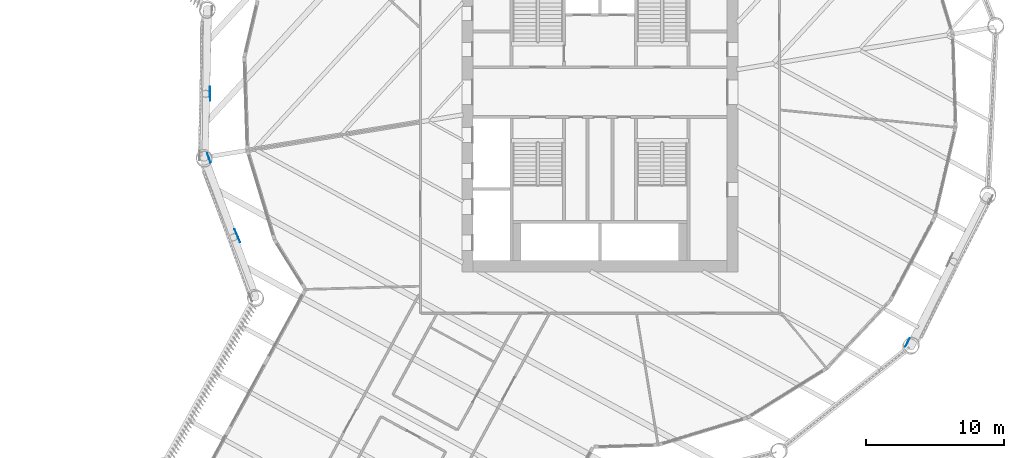
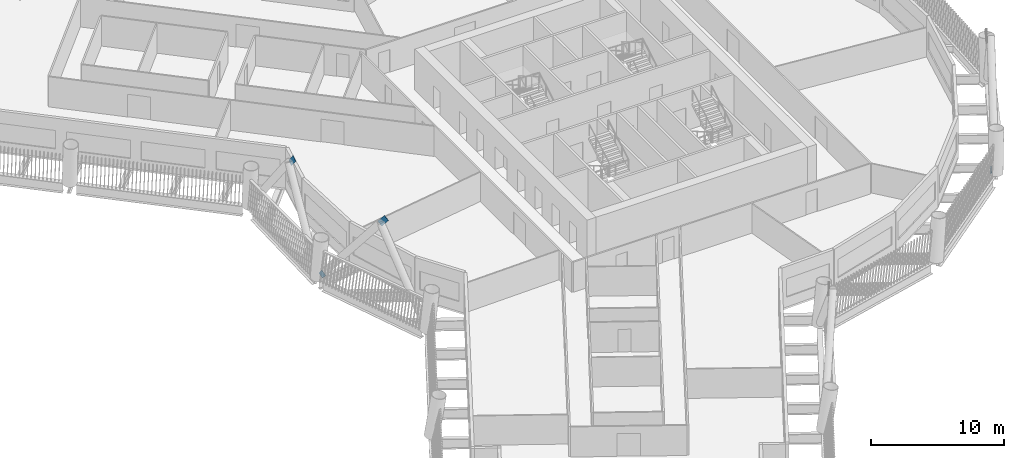
# One storey, part 10 of 24: 4 discrete accessories.
"""IFC4 building model written with IfcOpenShell, lengths in metres."""

from ifc_helpers import new_model, si_unit, direction, frame, origin, origin_2d, place, context, subcontext, project, spatial, rectangle, extrude, material, material_profile, profile_set, type_object, element, save


model = new_model("IFC4")

# Units and contexts
model_context = context("Model", 3, precision=1e-05, world=origin(), true_north=direction((0.0, 1.0)))
body_context = subcontext(model_context, "Body", "Model", "MODEL_VIEW")
ifc_project = project(units=[si_unit("LENGTHUNIT", "METRE"), si_unit("AREAUNIT", "SQUARE_METRE"), si_unit("VOLUMEUNIT", "CUBIC_METRE"), si_unit("PLANEANGLEUNIT", "RADIAN"), si_unit("MASSUNIT", "GRAM", prefix="KILO")], contexts=[model_context])

# Site, building, storey
site_placement = place(None, origin())
site = spatial("IfcSite", under=ifc_project, at=site_placement, CompositionType="ELEMENT")
building_placement = place(site_placement, origin())
building = spatial("IfcBuilding", under=site, at=building_placement, Name="Tarsis Ring Headquarters", CompositionType="ELEMENT")
storey_placement = place(building_placement, frame((0.0, 0.0, 92.800048828125)))
storey = spatial("IfcBuildingStorey", under=building, at=storey_placement, Name="L20", CompositionType="ELEMENT", Elevation=92.800048828125)

# Discrete accessories
ifc_material = material(Name="Structural steel S355", Category="steel")
ifc_material_profile = material_profile(ifc_material, rectangle(XDim=0.02490234375, YDim=0.5, at=origin_2d()), Name="PL 25x500")
ifc_profile_set = profile_set([ifc_material_profile], Name="Structural steel S355")
discrete_accessory_type = type_object("IfcDiscreteAccessoryType", Name="Gusset plate Exo brace 25", PredefinedType="BRACKET", material=ifc_profile_set)
discrete_accessory_1_placement = place(storey_placement, frame((-28.36376953125, -4.614990234375, 0.0), z_axis=(0.213379465861, -0.582032776444, 0.784670026632), x_axis=(0.938893286898, 0.344208361052, 0.0)))
element("IfcDiscreteAccessory", 1, at=discrete_accessory_1_placement, inside=storey, type_object=discrete_accessory_type, Name="Gusset plate GP5", PredefinedType="BRACKET", context=body_context, shape_type="SweptSolid", body=[
    extrude(rectangle(XDim=0.02490234375, YDim=0.5, at=origin_2d()), origin(), (0.0, 0.0, 1.0), 0.5),
])
discrete_accessory_2_placement = place(storey_placement, frame((-26.368896484375, -10.100830078125, 7.40771484375), z_axis=(0.242923534505, -0.570320981511, 0.784679638089), x_axis=(0.920018720037, 0.391874412002, 0.0)))
element("IfcDiscreteAccessory", 2, at=discrete_accessory_2_placement, inside=storey, type_object=discrete_accessory_type, Name="Gusset plate GP5", PredefinedType="BRACKET", context=body_context, shape_type="SweptSolid", body=[
    extrude(rectangle(XDim=0.02490234375, YDim=0.5, at=origin_2d()), origin(), (0.0, 0.0, 1.0), 1.0),
])
discrete_accessory_3_placement = place(storey_placement, frame((22.188232421875, -18.26416015625, 0.0), z_axis=(0.301756373617, 0.589840937426, 0.749019865903), x_axis=(-0.890262061733, 0.455448637542, 0.0)))
element("IfcDiscreteAccessory", 3, at=discrete_accessory_3_placement, inside=storey, type_object=discrete_accessory_type, Name="Gusset plate GP5", PredefinedType="BRACKET", context=body_context, shape_type="SweptSolid", body=[
    extrude(rectangle(XDim=0.02490234375, YDim=0.5, at=origin_2d()), origin(), (0.0, 0.0, 1.0), 0.5),
])
discrete_accessory_4_placement = place(storey_placement, frame((-28.236572265625, 0.2021484375, 7.40771484375), z_axis=(0.018310738418, -0.619635388051, 0.784676176988), x_axis=(0.999563660054, 0.029537933217, 0.0)))
element("IfcDiscreteAccessory", 4, at=discrete_accessory_4_placement, inside=storey, type_object=discrete_accessory_type, Name="Gusset plate GP5", PredefinedType="BRACKET", context=body_context, shape_type="SweptSolid", body=[
    extrude(rectangle(XDim=0.02490234375, YDim=0.5, at=origin_2d()), origin(), (0.0, 0.0, 1.0), 1.0),
])

save(model, "model.ifc")
